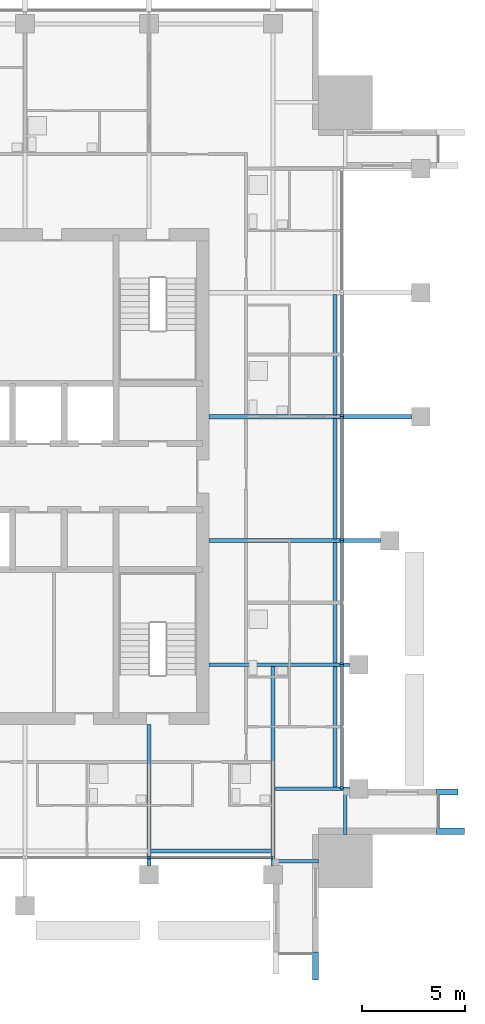
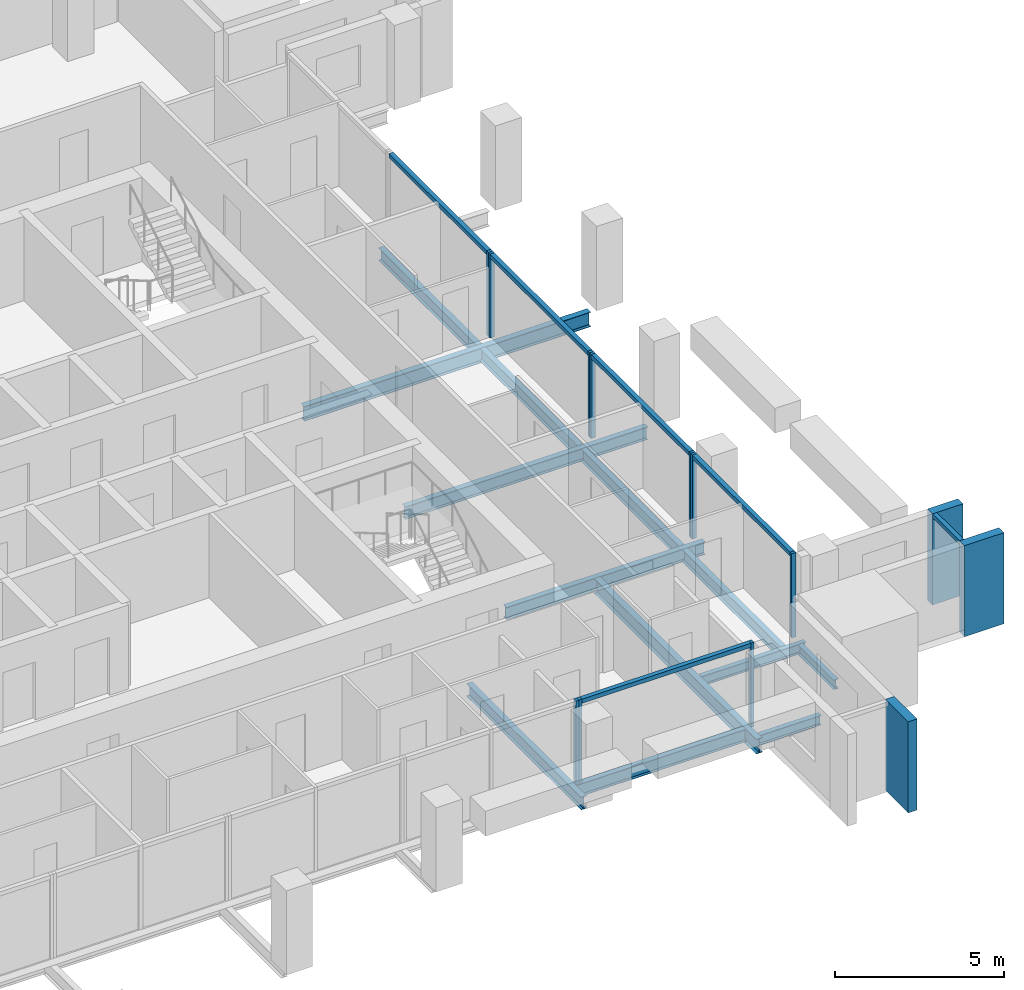
# One storey, part 4 of 14: 19 members, 13 beams, 8 elements without a shape of their own.
"""IFC4 building model written with IfcOpenShell, lengths in metres."""

from ifc_helpers import new_model, si_unit, direction, frame, origin, origin_2d, place, context, subcontext, project, spatial, rectangle, i_section, extrude, material, material_profile, profile_set, type_object, element, aggregate, save


model = new_model("IFC4")

# Units and contexts
model_context = context("Model", 3, precision=1e-05, world=origin(), true_north=direction((0.0, 1.0)))
body_context = subcontext(model_context, "Body", "Model", "MODEL_VIEW")
ifc_project = project(units=[si_unit("LENGTHUNIT", "METRE"), si_unit("AREAUNIT", "SQUARE_METRE"), si_unit("VOLUMEUNIT", "CUBIC_METRE"), si_unit("PLANEANGLEUNIT", "RADIAN"), si_unit("MASSUNIT", "GRAM", prefix="KILO")], contexts=[model_context])

# Site, building, storey
site_placement = place(None, origin())
site = spatial("IfcSite", under=ifc_project, at=site_placement, CompositionType="ELEMENT")
building_placement = place(site_placement, origin())
building = spatial("IfcBuilding", under=site, at=building_placement, Name="Amberfall Residences", CompositionType="ELEMENT")
storey_placement = place(building_placement, frame((0.0, 0.0, 220.0)))
storey = spatial("IfcBuildingStorey", under=building, at=storey_placement, Name="L59", CompositionType="ELEMENT", Elevation=220.0)

# Curtain wall, member
ifc_material_1 = material(Name="Bronze anodised aluminium and glass", Category="aluminium")
curtain_wall_type_1 = type_object("IfcCurtainWallType", Name="Curtain wall CW1 tower unit", PredefinedType="USERDEFINED", material=ifc_material_1)
curtain_wall_1_placement = place(storey_placement, origin())
curtain_wall_1 = element("IfcCurtainWall", 1, at=curtain_wall_1_placement, inside=storey, type_object=curtain_wall_type_1, Name="Curtain wall L59 E E1", ObjectType="UNITISED CURTAIN WALL", PredefinedType="USERDEFINED")
ifc_material_2 = material(Name="Bronze anodised aluminium", Category="aluminium")
ifc_material_profile_1 = material_profile(ifc_material_2, rectangle(XDim=0.14990234375, YDim=0.14990234375, at=origin_2d()), Name="CW1 transom 150 x 150 bronze")
ifc_profile_set_1 = profile_set([ifc_material_profile_1], Name="Bronze anodised aluminium")
member_type_1 = type_object("IfcMemberType", Name="CW1 transom 150 x 150 bronze", PredefinedType="USERDEFINED", material=ifc_profile_set_1)
member_1_placement = place(storey_placement, frame((97.574951171875, 28.5, 2.97509765625), z_axis=(0.0, 1.0, 0.0), x_axis=(-1.0, 0.0, 0.0)))
member_1 = element("IfcMember", 2, at=member_1_placement, type_object=member_type_1, Name="CW1 transom 1.1", ObjectType="TRANSOM", PredefinedType="USERDEFINED", context=body_context, shape_type="SweptSolid", body=[
    extrude(rectangle(XDim=0.14990234375, YDim=0.14990234375, at=origin_2d()), origin(), (0.0, 0.0, 1.0), 1.60009765625),
])

curtain_wall_type_2 = type_object("IfcCurtainWallType", Name="Curtain wall CW3 sky garden glazing", PredefinedType="USERDEFINED", material=ifc_material_1)
curtain_wall_2_placement = place(storey_placement, origin())
curtain_wall_2 = element("IfcCurtainWall", 3, at=curtain_wall_2_placement, inside=storey, type_object=curtain_wall_type_2, Name="Curtain wall L59 S S6", ObjectType="UNITISED CURTAIN WALL", PredefinedType="USERDEFINED")
ifc_material_profile_2 = material_profile(ifc_material_2, rectangle(XDim=0.14990234375, YDim=0.10009765625, at=origin_2d()), Name="CW3 mullion 100 x 150 bronze")
ifc_profile_set_2 = profile_set([ifc_material_profile_2], Name="Bronze anodised aluminium")
member_type_2 = type_object("IfcMemberType", Name="CW3 mullion 100 x 150 bronze", PredefinedType="MULLION", material=ifc_profile_set_2)
member_2_placement = place(storey_placement, frame((83.550048828125, 27.074951171875, 0.0), z_axis=(0.0, 0.0, 1.0), x_axis=(0.0, 1.0, 0.0)))
member_2 = element("IfcMember", 4, at=member_2_placement, type_object=member_type_2, Name="CW3 mullion 2", PredefinedType="MULLION", context=body_context, shape_type="SweptSolid", body=[
    extrude(rectangle(XDim=0.14990234375, YDim=0.10009765625, at=origin_2d()), origin(), (0.0, 0.0, 1.0), 3.050048828125),
])
aggregate(curtain_wall_2, [member_2])

# Curtain wall, members
curtain_wall_3_placement = place(storey_placement, origin())
curtain_wall_3 = element("IfcCurtainWall", 5, at=curtain_wall_3_placement, inside=storey, type_object=curtain_wall_type_2, Name="Curtain wall L59 S S7", ObjectType="UNITISED CURTAIN WALL", PredefinedType="USERDEFINED")
member_3_placement = place(storey_placement, frame((83.64990234375, 27.074951171875, 0.0), z_axis=(0.0, 0.0, 1.0), x_axis=(0.0, 1.0, 0.0)))
member_3 = element("IfcMember", 6, at=member_3_placement, type_object=member_type_2, Name="CW3 mullion 1", PredefinedType="MULLION", context=body_context, shape_type="SweptSolid", body=[
    extrude(rectangle(XDim=0.14990234375, YDim=0.10009765625, at=origin_2d()), origin(), (0.0, 0.0, 1.0), 3.050048828125),
])
member_4_placement = place(storey_placement, frame((89.550048828125, 27.074951171875, 0.0), z_axis=(0.0, 0.0, 1.0), x_axis=(0.0, 1.0, 0.0)))
member_4 = element("IfcMember", 7, at=member_4_placement, type_object=member_type_2, Name="CW3 mullion 2", PredefinedType="MULLION", context=body_context, shape_type="SweptSolid", body=[
    extrude(rectangle(XDim=0.14990234375, YDim=0.10009765625, at=origin_2d()), origin(), (0.0, 0.0, 1.0), 3.050048828125),
])

curtain_wall_4_placement = place(storey_placement, origin())
curtain_wall_4 = element("IfcCurtainWall", 8, at=curtain_wall_4_placement, inside=storey, type_object=curtain_wall_type_2, Name="Curtain wall L59 E E3", ObjectType="UNITISED CURTAIN WALL", PredefinedType="USERDEFINED")
member_5_placement = place(storey_placement, frame((92.925048828125, 30.449951171875, 0.0), z_axis=(0.0, 0.0, 1.0), x_axis=(-1.0, 0.0, 0.0)))
member_5 = element("IfcMember", 9, at=member_5_placement, type_object=member_type_2, Name="CW3 mullion 1", PredefinedType="MULLION", context=body_context, shape_type="SweptSolid", body=[
    extrude(rectangle(XDim=0.14990234375, YDim=0.10009765625, at=origin_2d()), origin(), (0.0, 0.0, 1.0), 3.050048828125),
])
member_6_placement = place(storey_placement, frame((92.925048828125, 36.35009765625, 0.0), z_axis=(0.0, 0.0, 1.0), x_axis=(-1.0, 0.0, 0.0)))
member_6 = element("IfcMember", 10, at=member_6_placement, type_object=member_type_2, Name="CW3 mullion 2", PredefinedType="MULLION", context=body_context, shape_type="SweptSolid", body=[
    extrude(rectangle(XDim=0.14990234375, YDim=0.10009765625, at=origin_2d()), origin(), (0.0, 0.0, 1.0), 3.050048828125),
])

curtain_wall_5_placement = place(storey_placement, origin())
curtain_wall_5 = element("IfcCurtainWall", 11, at=curtain_wall_5_placement, inside=storey, type_object=curtain_wall_type_2, Name="Curtain wall L59 E E4", ObjectType="UNITISED CURTAIN WALL", PredefinedType="USERDEFINED")
member_7_placement = place(storey_placement, frame((92.925048828125, 36.449951171875, 0.0), z_axis=(0.0, 0.0, 1.0), x_axis=(-1.0, 0.0, 0.0)))
member_7 = element("IfcMember", 12, at=member_7_placement, type_object=member_type_2, Name="CW3 mullion 1", PredefinedType="MULLION", context=body_context, shape_type="SweptSolid", body=[
    extrude(rectangle(XDim=0.14990234375, YDim=0.10009765625, at=origin_2d()), origin(), (0.0, 0.0, 1.0), 3.050048828125),
])
member_8_placement = place(storey_placement, frame((92.925048828125, 42.35009765625, 0.0), z_axis=(0.0, 0.0, 1.0), x_axis=(-1.0, 0.0, 0.0)))
member_8 = element("IfcMember", 13, at=member_8_placement, type_object=member_type_2, Name="CW3 mullion 2", PredefinedType="MULLION", context=body_context, shape_type="SweptSolid", body=[
    extrude(rectangle(XDim=0.14990234375, YDim=0.10009765625, at=origin_2d()), origin(), (0.0, 0.0, 1.0), 3.050048828125),
])

curtain_wall_6_placement = place(storey_placement, origin())
curtain_wall_6 = element("IfcCurtainWall", 14, at=curtain_wall_6_placement, inside=storey, type_object=curtain_wall_type_2, Name="Curtain wall L59 E E5", ObjectType="UNITISED CURTAIN WALL", PredefinedType="USERDEFINED")
member_9_placement = place(storey_placement, frame((92.925048828125, 42.449951171875, 0.0), z_axis=(0.0, 0.0, 1.0), x_axis=(-1.0, 0.0, 0.0)))
member_9 = element("IfcMember", 15, at=member_9_placement, type_object=member_type_2, Name="CW3 mullion 1", PredefinedType="MULLION", context=body_context, shape_type="SweptSolid", body=[
    extrude(rectangle(XDim=0.14990234375, YDim=0.10009765625, at=origin_2d()), origin(), (0.0, 0.0, 1.0), 3.050048828125),
])
member_10_placement = place(storey_placement, frame((92.925048828125, 48.35009765625, 0.0), z_axis=(0.0, 0.0, 1.0), x_axis=(-1.0, 0.0, 0.0)))
member_10 = element("IfcMember", 16, at=member_10_placement, type_object=member_type_2, Name="CW3 mullion 2", PredefinedType="MULLION", context=body_context, shape_type="SweptSolid", body=[
    extrude(rectangle(XDim=0.14990234375, YDim=0.10009765625, at=origin_2d()), origin(), (0.0, 0.0, 1.0), 3.050048828125),
])

# Curtain wall, member
curtain_wall_7_placement = place(storey_placement, origin())
curtain_wall_7 = element("IfcCurtainWall", 17, at=curtain_wall_7_placement, inside=storey, type_object=curtain_wall_type_2, Name="Curtain wall L59 E E6", ObjectType="UNITISED CURTAIN WALL", PredefinedType="USERDEFINED")
member_11_placement = place(storey_placement, frame((92.925048828125, 48.449951171875, 0.0), z_axis=(0.0, 0.0, 1.0), x_axis=(-1.0, 0.0, 0.0)))
member_11 = element("IfcMember", 18, at=member_11_placement, type_object=member_type_2, Name="CW3 mullion 1", PredefinedType="MULLION", context=body_context, shape_type="SweptSolid", body=[
    extrude(rectangle(XDim=0.14990234375, YDim=0.10009765625, at=origin_2d()), origin(), (0.0, 0.0, 1.0), 3.050048828125),
])

# Member
ifc_material_profile_3 = material_profile(ifc_material_2, rectangle(XDim=0.14990234375, YDim=0.14990234375, at=origin_2d()), Name="CW3 transom 150 x 150 bronze")
ifc_profile_set_3 = profile_set([ifc_material_profile_3], Name="Bronze anodised aluminium")
member_type_3 = type_object("IfcMemberType", Name="CW3 transom 150 x 150 bronze", PredefinedType="USERDEFINED", material=ifc_profile_set_3)
member_12_placement = place(storey_placement, frame((83.699951171875, 27.074951171875, 2.97509765625), z_axis=(1.0, 0.0, 0.0), x_axis=(0.0, 1.0, 0.0)))
member_12 = element("IfcMember", 19, at=member_12_placement, type_object=member_type_3, Name="CW3 transom 1.1", ObjectType="TRANSOM", PredefinedType="USERDEFINED", context=body_context, shape_type="SweptSolid", body=[
    extrude(rectangle(XDim=0.14990234375, YDim=0.14990234375, at=origin_2d()), origin(), (0.0, 0.0, 1.0), 5.800048828125),
])

aggregate(curtain_wall_3, [member_3, member_4, member_12])

member_13_placement = place(storey_placement, frame((92.925048828125, 30.5, 2.97509765625), z_axis=(0.0, 1.0, 0.0), x_axis=(-1.0, 0.0, 0.0)))
member_13 = element("IfcMember", 20, at=member_13_placement, type_object=member_type_3, Name="CW3 transom 1.1", ObjectType="TRANSOM", PredefinedType="USERDEFINED", context=body_context, shape_type="SweptSolid", body=[
    extrude(rectangle(XDim=0.14990234375, YDim=0.14990234375, at=origin_2d()), origin(), (0.0, 0.0, 1.0), 5.800048828125),
])

aggregate(curtain_wall_4, [member_5, member_6, member_13])

member_14_placement = place(storey_placement, frame((92.925048828125, 36.5, 2.97509765625), z_axis=(0.0, 1.0, 0.0), x_axis=(-1.0, 0.0, 0.0)))
member_14 = element("IfcMember", 21, at=member_14_placement, type_object=member_type_3, Name="CW3 transom 1.1", ObjectType="TRANSOM", PredefinedType="USERDEFINED", context=body_context, shape_type="SweptSolid", body=[
    extrude(rectangle(XDim=0.14990234375, YDim=0.14990234375, at=origin_2d()), origin(), (0.0, 0.0, 1.0), 5.800048828125),
])

aggregate(curtain_wall_5, [member_7, member_8, member_14])

member_15_placement = place(storey_placement, frame((92.925048828125, 42.5, 2.97509765625), z_axis=(0.0, 1.0, 0.0), x_axis=(-1.0, 0.0, 0.0)))
member_15 = element("IfcMember", 22, at=member_15_placement, type_object=member_type_3, Name="CW3 transom 1.1", ObjectType="TRANSOM", PredefinedType="USERDEFINED", context=body_context, shape_type="SweptSolid", body=[
    extrude(rectangle(XDim=0.14990234375, YDim=0.14990234375, at=origin_2d()), origin(), (0.0, 0.0, 1.0), 5.800048828125),
])

aggregate(curtain_wall_6, [member_9, member_10, member_15])

member_16_placement = place(storey_placement, frame((92.925048828125, 48.5, 2.97509765625), z_axis=(0.0, 1.0, 0.0), x_axis=(-1.0, 0.0, 0.0)))
member_16 = element("IfcMember", 23, at=member_16_placement, type_object=member_type_3, Name="CW3 transom 1.1", ObjectType="TRANSOM", PredefinedType="USERDEFINED", context=body_context, shape_type="SweptSolid", body=[
    extrude(rectangle(XDim=0.14990234375, YDim=0.14990234375, at=origin_2d()), origin(), (0.0, 0.0, 1.0), 5.800048828125),
])

aggregate(curtain_wall_7, [member_11, member_16])

# Curtain wall, member
curtain_wall_8_placement = place(storey_placement, origin())
curtain_wall_8 = element("IfcCurtainWall", 24, at=curtain_wall_8_placement, inside=storey, type_object=curtain_wall_type_1, Name="Curtain wall L59 S S9", ObjectType="UNITISED CURTAIN WALL", PredefinedType="USERDEFINED")
ifc_material_profile_4 = material_profile(ifc_material_2, rectangle(XDim=1.35009765625, YDim=0.300048828125, at=origin_2d()), Name="Corner fin 300 x 1350 bronze")
ifc_profile_set_4 = profile_set([ifc_material_profile_4], Name="Bronze anodised aluminium")
member_type_4 = type_object("IfcMemberType", Name="Corner fin 300 x 1350 bronze", PredefinedType="MULLION", material=ifc_profile_set_4)
member_17_placement = place(storey_placement, frame((91.64990234375, 21.824951171875, -0.25), z_axis=(0.0, 0.0, 1.0), x_axis=(0.0, 1.0, 0.0)))
member_17 = element("IfcMember", 25, at=member_17_placement, type_object=member_type_4, Name="CW FIN 2", PredefinedType="MULLION", context=body_context, shape_type="SweptSolid", body=[
    extrude(rectangle(XDim=1.35009765625, YDim=0.300048828125, at=origin_2d()), origin(), (0.0, 0.0, 1.0), 3.300048828125),
])
aggregate(curtain_wall_8, [member_17])

# Member
member_18_placement = place(storey_placement, frame((98.175048828125, 28.35009765625, -0.25), z_axis=(0.0, 0.0, 1.0), x_axis=(-1.0, 0.0, 0.0)))
member_18 = element("IfcMember", 26, at=member_18_placement, type_object=member_type_4, Name="CW FIN 1", PredefinedType="MULLION", context=body_context, shape_type="SweptSolid", body=[
    extrude(rectangle(XDim=1.35009765625, YDim=0.300048828125, at=origin_2d()), origin(), (0.0, 0.0, 1.0), 3.300048828125),
])

# Beams
ifc_material_3 = material(Name="Steel S355", Category="steel")
ifc_material_profile_5 = material_profile(ifc_material_3, i_section(OverallWidth=0.18994140625, OverallDepth=0.453369140625, WebThickness=0.008544921875, FlangeThickness=0.0126953125, FilletRadius=0.01025390625, at=origin_2d()), Name="UB 457x191x67")
ifc_profile_set_5 = profile_set([ifc_material_profile_5], Name="Steel S355")
beam_type_1 = type_object("IfcBeamType", Name="Edge beam UB 457x191x67", PredefinedType="SPANDREL", material=ifc_profile_set_5)
for number, where, z_axis, x_axis, name in (
    (27, (83.679931640625, 27.39990234375, -0.476806640625), (1.0, 0.0, 0.0), (0.0, 1.0, 0.0), "Edge beam B1 L59 05"),
    (28, (92.60009765625, 30.47998046875, -0.476806640625), (0.0, 1.0, 0.0), (-1.0, 0.0, 0.0), "Edge beam B1 L59 12"),
    (29, (92.60009765625, 36.47998046875, -0.476806640625), (0.0, 1.0, 0.0), (-1.0, 0.0, 0.0), "Edge beam B1 L59 13"),
    (30, (92.60009765625, 42.47998046875, -0.476806640625), (0.0, 1.0, 0.0), (-1.0, 0.0, 0.0), "Edge beam B1 L59 14"),
    (31, (92.60009765625, 48.47998046875, -0.476806640625), (0.0, 1.0, 0.0), (-1.0, 0.0, 0.0), "Edge beam B1 L59 15"),
):
    element("IfcBeam", number, at=place(storey_placement, frame(where, z_axis=z_axis, x_axis=x_axis)), inside=storey, type_object=beam_type_1, Name=name, PredefinedType="SPANDREL", context=body_context, shape_type="SweptSolid", body=[
        extrude(i_section(OverallWidth=0.18994140625, OverallDepth=0.453369140625, WebThickness=0.008544921875, FlangeThickness=0.0126953125, FilletRadius=0.01025390625, at=origin_2d()), origin(), (0.0, 0.0, 1.0), 5.840087890625),
    ])

# Member
ifc_material_profile_6 = material_profile(ifc_material_2, rectangle(XDim=1.050048828125, YDim=0.300048828125, at=origin_2d()), Name="Fin 300 x 1050 bronze")
ifc_profile_set_6 = profile_set([ifc_material_profile_6], Name="Bronze anodised aluminium")
member_type_5 = type_object("IfcMemberType", Name="Fin 300 x 1050 bronze", PredefinedType="MULLION", material=ifc_profile_set_6)
member_19_placement = place(storey_placement, frame((98.02490234375, 30.25, -0.25), z_axis=(0.0, 0.0, 1.0), x_axis=(-1.0, 0.0, 0.0)))
member_19 = element("IfcMember", 32, at=member_19_placement, type_object=member_type_5, Name="CW FIN 2", PredefinedType="MULLION", context=body_context, shape_type="SweptSolid", body=[
    extrude(rectangle(XDim=1.050048828125, YDim=0.300048828125, at=origin_2d()), origin(), (0.0, 0.0, 1.0), 3.300048828125),
])

aggregate(curtain_wall_1, [member_18, member_19, member_1])

# Beams
ifc_material_profile_7 = material_profile(ifc_material_3, i_section(OverallWidth=0.171142578125, OverallDepth=0.351318359375, WebThickness=0.007080078125, FlangeThickness=0.009765625, FilletRadius=0.01025390625, at=origin_2d()), Name="UB 356x171x45")
ifc_profile_set_7 = profile_set([ifc_material_profile_7], Name="Steel S355")
beam_type_2 = type_object("IfcBeamType", Name="Floor girder UB 356x171x45", PredefinedType="BEAM", material=ifc_profile_set_7)
beam_1_placement = place(storey_placement, frame((93.300048828125, 30.39990234375, -0.42578125), z_axis=(-1.0, 0.0, 0.0), x_axis=(0.0, -1.0, 0.0)))
element("IfcBeam", 33, at=beam_1_placement, inside=storey, type_object=beam_type_2, Name="Floor girder B11 L59 17", PredefinedType="BEAM", context=body_context, shape_type="SweptSolid", body=[
    extrude(i_section(OverallWidth=0.171142578125, OverallDepth=0.351318359375, WebThickness=0.007080078125, FlangeThickness=0.009765625, FilletRadius=0.01025390625, at=origin_2d()), origin(), (0.0, 0.0, 1.0), 3.580078125),
])
ifc_material_profile_8 = material_profile(ifc_material_3, i_section(OverallWidth=0.19140625, OverallDepth=0.4599609375, WebThickness=0.010009765625, FlangeThickness=0.01611328125, FilletRadius=0.01025390625, at=origin_2d()), Name="UB 457x191x82")
ifc_profile_set_8 = profile_set([ifc_material_profile_8], Name="Steel S355")
beam_type_3 = type_object("IfcBeamType", Name="Floor girder UB 457x191x82", PredefinedType="BEAM", material=ifc_profile_set_8)
for number, where, z_axis, x_axis, name in (
    (34, (83.60009765625, 26.699951171875, -0.47998046875), (0.0, 1.0, 0.0), (-1.0, 0.0, 0.0), "Floor girder B10 L59 10"),
    (35, (93.300048828125, 36.39990234375, -0.47998046875), (-1.0, 0.0, 0.0), (0.0, -1.0, 0.0), "Floor girder B10 L59 18"),
):
    element("IfcBeam", number, at=place(storey_placement, frame(where, z_axis=z_axis, x_axis=x_axis)), inside=storey, type_object=beam_type_3, Name=name, PredefinedType="BEAM", context=body_context, shape_type="SweptSolid", body=[
        extrude(i_section(OverallWidth=0.19140625, OverallDepth=0.4599609375, WebThickness=0.010009765625, FlangeThickness=0.01611328125, FilletRadius=0.01025390625, at=origin_2d()), origin(), (0.0, 0.0, 1.0), 6.800048828125),
    ])
beam_2_placement = place(storey_placement, frame((94.800048828125, 42.39990234375, -0.47998046875), z_axis=(-1.0, 0.0, 0.0), x_axis=(0.0, -1.0, 0.0)))
element("IfcBeam", 36, at=beam_2_placement, inside=storey, type_object=beam_type_3, Name="Floor girder B10 L59 19", PredefinedType="BEAM", context=body_context, shape_type="SweptSolid", body=[
    extrude(i_section(OverallWidth=0.19140625, OverallDepth=0.4599609375, WebThickness=0.010009765625, FlangeThickness=0.01611328125, FilletRadius=0.01025390625, at=origin_2d()), origin(), (0.0, 0.0, 1.0), 8.300048828125),
])
ifc_material_profile_9 = material_profile(ifc_material_3, i_section(OverallWidth=0.209228515625, OverallDepth=0.533203125, WebThickness=0.010009765625, FlangeThickness=0.015625, FilletRadius=0.0126953125, at=origin_2d()), Name="UB 533x210x92")
ifc_profile_set_9 = profile_set([ifc_material_profile_9], Name="Steel S355")
beam_type_4 = type_object("IfcBeamType", Name="Floor girder UB 533x210x92", PredefinedType="BEAM", material=ifc_profile_set_9)
beam_3_placement = place(storey_placement, frame((89.60009765625, 26.699951171875, -0.5166015625), z_axis=(0.0, 1.0, 0.0), x_axis=(-1.0, 0.0, 0.0)))
element("IfcBeam", 37, at=beam_3_placement, inside=storey, type_object=beam_type_4, Name="Floor girder B3 L59 11", PredefinedType="BEAM", context=body_context, shape_type="SweptSolid", body=[
    extrude(i_section(OverallWidth=0.209228515625, OverallDepth=0.533203125, WebThickness=0.010009765625, FlangeThickness=0.015625, FilletRadius=0.0126953125, at=origin_2d()), origin(), (0.0, 0.0, 1.0), 9.609375),
])
beam_4_placement = place(storey_placement, frame((96.300048828125, 48.39990234375, -0.5166015625), z_axis=(-1.0, 0.0, 0.0), x_axis=(0.0, -1.0, 0.0)))
element("IfcBeam", 38, at=beam_4_placement, inside=storey, type_object=beam_type_4, Name="Floor girder B3 L59 20", PredefinedType="BEAM", context=body_context, shape_type="SweptSolid", body=[
    extrude(i_section(OverallWidth=0.209228515625, OverallDepth=0.533203125, WebThickness=0.010009765625, FlangeThickness=0.015625, FilletRadius=0.0126953125, at=origin_2d()), origin(), (0.0, 0.0, 1.0), 9.800048828125),
])
ifc_material_profile_10 = material_profile(ifc_material_3, i_section(OverallWidth=0.171142578125, OverallDepth=0.351318359375, WebThickness=0.007080078125, FlangeThickness=0.009765625, FilletRadius=0.01025390625, at=origin_2d()), Name="UB 356x171x45")
ifc_profile_set_10 = profile_set([ifc_material_profile_10], Name="Steel S355")
beam_type_5 = type_object("IfcBeamType", Name="Link beam UB 356x171x45", PredefinedType="BEAM", material=ifc_profile_set_10)
beam_5_placement = place(storey_placement, frame((91.800048828125, 26.89990234375, -0.42578125), z_axis=(-1.0, 0.0, 0.0), x_axis=(0.0, -1.0, 0.0)))
element("IfcBeam", 39, at=beam_5_placement, inside=storey, type_object=beam_type_5, Name="Link beam B7 L59 47", PredefinedType="BEAM", context=body_context, shape_type="SweptSolid", body=[
    extrude(i_section(OverallWidth=0.171142578125, OverallDepth=0.351318359375, WebThickness=0.007080078125, FlangeThickness=0.009765625, FilletRadius=0.01025390625, at=origin_2d()), origin(), (0.0, 0.0, 1.0), 2.10546875),
])
beam_6_placement = place(storey_placement, frame((93.10009765625, 28.199951171875, -0.42578125), z_axis=(0.0, 1.0, 0.0), x_axis=(-1.0, 0.0, 0.0)))
element("IfcBeam", 40, at=beam_6_placement, inside=storey, type_object=beam_type_5, Name="Link beam B7 L59 48", PredefinedType="BEAM", context=body_context, shape_type="SweptSolid", body=[
    extrude(i_section(OverallWidth=0.171142578125, OverallDepth=0.351318359375, WebThickness=0.007080078125, FlangeThickness=0.009765625, FilletRadius=0.01025390625, at=origin_2d()), origin(), (0.0, 0.0, 1.0), 2.12451171875),
])

save(model, "model.ifc")
